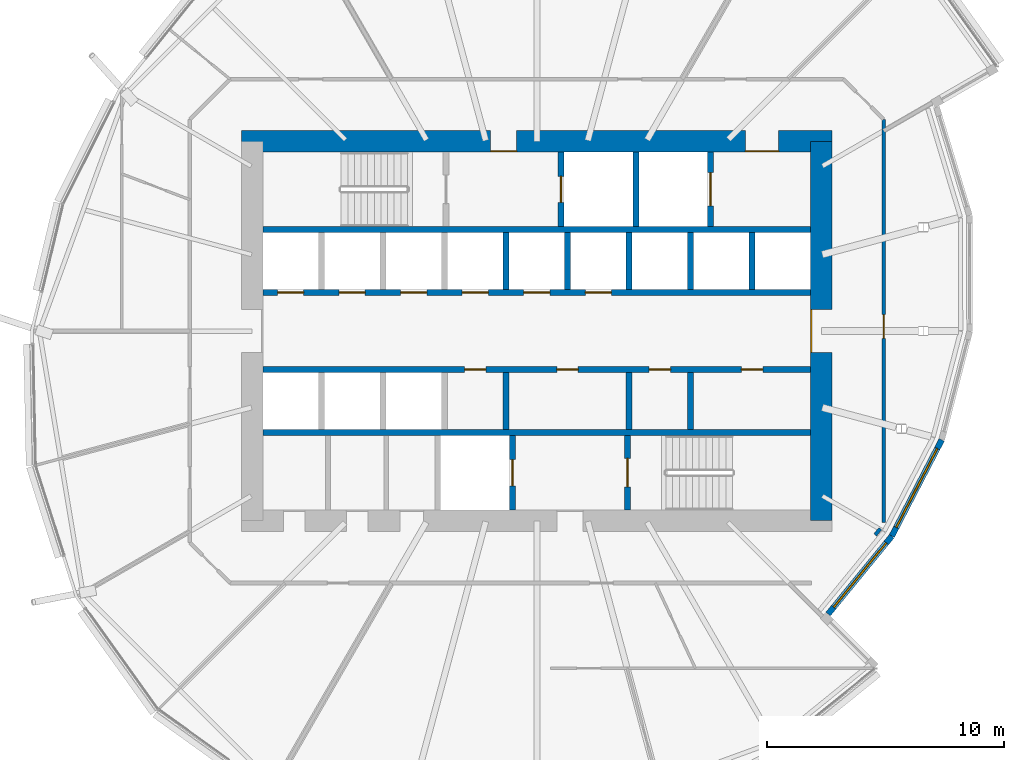
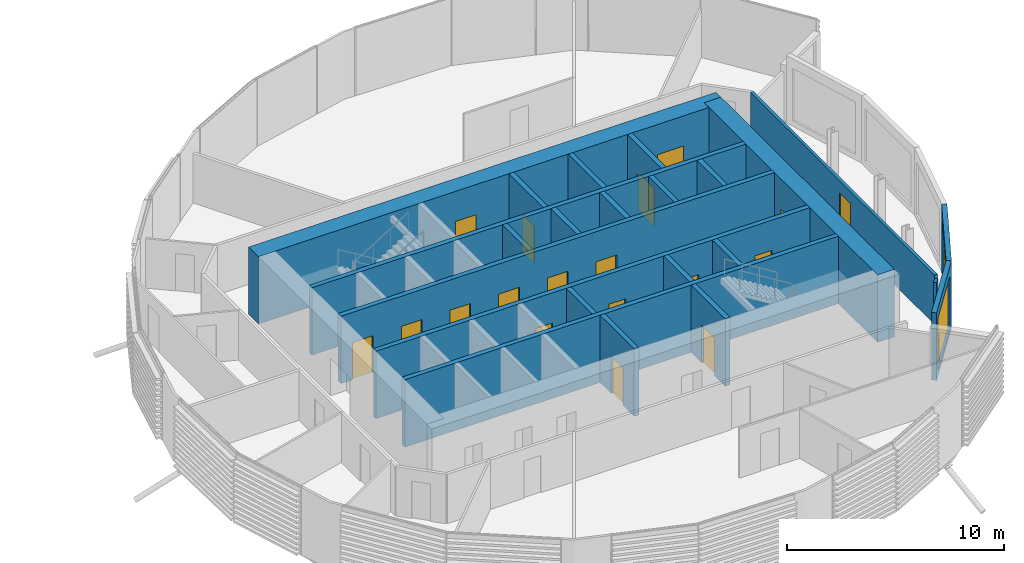
# One storey, part 24 of 37: 23 walls, 18 doors, 2 windows, 20 openings.
"""IFC4 building model written with IfcOpenShell, lengths in metres."""

from ifc_helpers import new_model, si_unit, direction, frame, frame_2d, origin, place, context, subcontext, project, spatial, rectangle, extrude, material, layer, layer_set, type_object, element, fill, save


model = new_model("IFC4")

# Units and contexts
model_context = context("Model", 3, precision=1e-05, world=origin(), true_north=direction((0.0, 1.0)))
body_context = subcontext(model_context, "Body", "Model", "MODEL_VIEW")
ifc_project = project(units=[si_unit("LENGTHUNIT", "METRE"), si_unit("AREAUNIT", "SQUARE_METRE"), si_unit("VOLUMEUNIT", "CUBIC_METRE"), si_unit("PLANEANGLEUNIT", "RADIAN"), si_unit("MASSUNIT", "GRAM", prefix="KILO")], contexts=[model_context])

# Site, building, storey
site_placement = place(None, origin())
site = spatial("IfcSite", under=ifc_project, at=site_placement, CompositionType="ELEMENT")
building_placement = place(site_placement, origin())
building = spatial("IfcBuilding", under=site, at=building_placement, Name="Rimbun Link Towers", CompositionType="ELEMENT")
storey_placement = place(building_placement, frame((0.0, 0.0, 45.199951171875)))
storey = spatial("IfcBuildingStorey", under=building, at=storey_placement, Name="L10", CompositionType="ELEMENT", Elevation=45.199951171875)

# Wall, opening, window
ifc_material_1 = material(Name="Dark enamelled glass spandrel on insulated aluminium backpan", Category="aluminium")
ifc_layer_1 = layer(ifc_material_1, 0.25)
ifc_layer_set_1 = layer_set([ifc_layer_1], Name="CS dark enamelled spandrel wall 250")
wall_type_1 = type_object("IfcWallType", Name="CS dark enamelled spandrel wall 250", PredefinedType="STANDARD", material=ifc_layer_set_1)
wall_1_placement = place(storey_placement, frame((46.72021484375, -8.6513671875, 0.0), z_axis=(0.0, 0.0, 1.0), x_axis=(-0.632842569206, -0.774280493491, 0.0)))
wall_1 = element("IfcWall", 1, at=wall_1_placement, inside=storey, type_object=wall_type_1, Name="Crease spandrel wall", PredefinedType="STANDARD", context=body_context, shape_type="SweptSolid", body=[
    extrude(rectangle(XDim=4.239501953125, YDim=0.25, at=frame_2d((2.11962890625, 0.0))), origin(), (0.0, 0.0, 1.0), 3.800048828125),
])
opening_1_placement = place(wall_1_placement, frame((0.36962890625, 0.0, 0.300048828125)))
opening_1 = element("IfcOpeningElement", 2, at=opening_1_placement, cuts=wall_1, Name="Opening WR35H295", PredefinedType="OPENING", context=body_context, shape_type="SweptSolid", body=[
    extrude(rectangle(XDim=3.5, YDim=2.949951171875, at=frame_2d((1.75, 1.47509765625))), frame((0.0, 0.135009765625, 0.0), z_axis=(0.0, -1.0, 0.0), x_axis=(1.0, 0.0, 0.0)), (0.0, 0.0, 1.0), 0.27001953125),
])
ifc_material_2 = material(Name="Aluminium framed fixed window, dark tinted low-e glass", Category="aluminium")
window_type_1 = type_object("IfcWindowType", Name="WR ribbon window 3500X2950", PartitioningType="SINGLE_PANEL", PredefinedType="WINDOW", material=ifc_material_2)
window_1_placement = place(opening_1_placement, origin())
window_1 = element("IfcWindow", 3, at=window_1_placement, inside=storey, type_object=window_type_1, Name="Crease ribbon window", OverallHeight=2.949951171875, OverallWidth=3.5, PartitioningType="SINGLE_PANEL", PredefinedType="WINDOW", context=body_context, shape_type="SweptSolid", body=[
    extrude(rectangle(XDim=3.5, YDim=2.949951171875, at=frame_2d((1.75, 1.47509765625))), frame((0.0, 0.030029296875, 0.0), z_axis=(0.0, -1.0, 0.0), x_axis=(1.0, 0.0, 0.0)), (0.0, 0.0, 1.0), 0.06005859375),
])
fill(opening_1, window_1)

wall_2_placement = place(storey_placement, frame((48.826171875, -4.589111328125, 0.0), z_axis=(0.0, 0.0, 1.0), x_axis=(-0.460248636708, -0.887790060999, 0.0)))
wall_2 = element("IfcWall", 4, at=wall_2_placement, inside=storey, type_object=wall_type_1, Name="Crease spandrel wall", PredefinedType="STANDARD", context=body_context, shape_type="SweptSolid", body=[
    extrude(rectangle(XDim=4.57568359375, YDim=0.25, at=frame_2d((2.287841796875, 0.0))), origin(), (0.0, 0.0, 1.0), 3.800048828125),
])
opening_2_placement = place(wall_2_placement, frame((0.412841796875, 0.0, 0.300048828125)))
opening_2 = element("IfcOpeningElement", 5, at=opening_2_placement, cuts=wall_2, Name="Opening WR38H295", PredefinedType="OPENING", context=body_context, shape_type="SweptSolid", body=[
    extrude(rectangle(XDim=3.75, YDim=2.949951171875, at=frame_2d((1.875, 1.47509765625))), frame((0.0, 0.135009765625, 0.0), z_axis=(0.0, -1.0, 0.0), x_axis=(1.0, 0.0, 0.0)), (0.0, 0.0, 1.0), 0.27001953125),
])
ifc_material_3 = material(Name="Aluminium framed fixed window, dark tinted low-e glass", Category="aluminium")
window_type_2 = type_object("IfcWindowType", Name="WR ribbon window 3750X2950", PartitioningType="SINGLE_PANEL", PredefinedType="WINDOW", material=ifc_material_3)
window_2_placement = place(opening_2_placement, origin())
window_2 = element("IfcWindow", 6, at=window_2_placement, inside=storey, type_object=window_type_2, Name="Crease ribbon window", OverallHeight=2.949951171875, OverallWidth=3.75, PartitioningType="SINGLE_PANEL", PredefinedType="WINDOW", context=body_context, shape_type="SweptSolid", body=[
    extrude(rectangle(XDim=3.75, YDim=2.949951171875, at=frame_2d((1.875, 1.47509765625))), frame((0.0, 0.030029296875, 0.0), z_axis=(0.0, -1.0, 0.0), x_axis=(1.0, 0.0, 0.0)), (0.0, 0.0, 1.0), 0.06005859375),
])
fill(opening_2, window_2)

# Wall, openings, doors
ifc_material_4 = material(Name="Concrete C60/75", Category="concrete")
ifc_layer_2 = layer(ifc_material_4, 0.89990234375)
ifc_layer_set_2 = layer_set([ifc_layer_2], Name="Core shear wall 900")
wall_type_2 = type_object("IfcWallType", Name="Core shear wall 900", PredefinedType="SHEAR", material=ifc_layer_set_2)
wall_3_placement = place(storey_placement, frame((19.300048828125, 8.0, 0.0), z_axis=(0.0, 0.0, 1.0), x_axis=(1.0, 0.0, 0.0)))
wall_3 = element("IfcWall", 7, at=wall_3_placement, inside=storey, type_object=wall_type_2, Name="L10 T2 core wall N", PredefinedType="SHEAR", context=body_context, shape_type="SweptSolid", body=[
    extrude(rectangle(XDim=24.89990234375, YDim=0.89990234375, at=frame_2d((12.449951171875, 0.0))), origin(), (0.0, 0.0, 1.0), 3.800048828125),
])
opening_3_placement = place(wall_3_placement, frame((10.5, 0.0, 0.0)))
opening_3 = element("IfcOpeningElement", 8, at=opening_3_placement, cuts=wall_3, Name="Opening C2DCF01N", PredefinedType="OPENING", context=body_context, shape_type="SweptSolid", body=[
    extrude(rectangle(XDim=1.10009765625, YDim=2.10009765625, at=frame_2d((0.550048828125, 1.050048828125))), frame((0.0, 0.4599609375, 0.0), z_axis=(0.0, -1.0, 0.0), x_axis=(1.0, 0.0, 0.0)), (0.0, 0.0, 1.0), 0.919921875),
])
opening_4_placement = place(wall_3_placement, frame((21.25, 0.0, 0.0)))
opening_4 = element("IfcOpeningElement", 9, at=opening_4_placement, cuts=wall_3, Name="Opening C2DSL02N", PredefinedType="OPENING", context=body_context, shape_type="SweptSolid", body=[
    extrude(rectangle(XDim=1.39990234375, YDim=2.10009765625, at=frame_2d((0.699951171875, 1.050048828125))), frame((0.0, 0.4599609375, 0.0), z_axis=(0.0, -1.0, 0.0), x_axis=(1.0, 0.0, 0.0)), (0.0, 0.0, 1.0), 0.919921875),
])
ifc_material_5 = material(Name="Steel fire door set", Category="steel")
door_type_1 = type_object("IfcDoorType", Name="Core fire door single", OperationType="SINGLE_SWING_LEFT", PredefinedType="DOOR", material=ifc_material_5)
door_1_placement = place(opening_3_placement, origin())
door_1 = element("IfcDoor", 10, at=door_1_placement, inside=storey, type_object=door_type_1, Name="L10 T2 firefighting lobby n door", OperationType="SINGLE_SWING_LEFT", OverallHeight=2.10009765625, OverallWidth=1.10009765625, PredefinedType="DOOR", context=body_context, shape_type="SweptSolid", body=[
    extrude(rectangle(XDim=1.10009765625, YDim=2.10009765625, at=frame_2d((0.550048828125, 1.050048828125))), frame((0.0, -0.39990234375, 0.0), z_axis=(0.0, -1.0, 0.0), x_axis=(1.0, 0.0, 0.0)), (0.0, 0.0, 1.0), 0.050048828125),
])
fill(opening_3, door_1)
ifc_material_6 = material(Name="Steel fire door set", Category="steel")
door_type_2 = type_object("IfcDoorType", Name="Service lobby door double", OperationType="DOUBLE_DOOR_SINGLE_SWING", PredefinedType="DOOR", material=ifc_material_6)
door_2_placement = place(opening_4_placement, origin())
door_2 = element("IfcDoor", 11, at=door_2_placement, inside=storey, type_object=door_type_2, Name="L10 T2 service lobby door", OperationType="DOUBLE_DOOR_SINGLE_SWING", OverallHeight=2.10009765625, OverallWidth=1.39990234375, PredefinedType="DOOR", context=body_context, shape_type="SweptSolid", body=[
    extrude(rectangle(XDim=1.39990234375, YDim=2.10009765625, at=frame_2d((0.699951171875, 1.050048828125))), frame((0.0, -0.39990234375, 0.0), z_axis=(0.0, -1.0, 0.0), x_axis=(1.0, 0.0, 0.0)), (0.0, 0.0, 1.0), 0.050048828125),
])
fill(opening_4, door_2)

# Wall, opening, door
wall_4_placement = place(storey_placement, frame((43.75, -8.0, 0.0), z_axis=(0.0, 0.0, 1.0), x_axis=(0.0, 1.0, 0.0)))
wall_4 = element("IfcWall", 12, at=wall_4_placement, inside=storey, type_object=wall_type_2, Name="L10 T2 core wall E", PredefinedType="SHEAR", context=body_context, shape_type="SweptSolid", body=[
    extrude(rectangle(XDim=16.0, YDim=0.89990234375, at=frame_2d((8.0, 0.0))), origin(), (0.0, 0.0, 1.0), 3.800048828125),
])
opening_5_placement = place(wall_4_placement, frame((7.10009765625, 0.0, 0.0)))
opening_5 = element("IfcOpeningElement", 13, at=opening_5_placement, cuts=wall_4, Name="Opening C2DCL01E", PredefinedType="OPENING", context=body_context, shape_type="SweptSolid", body=[
    extrude(rectangle(XDim=1.800048828125, YDim=2.10009765625, at=frame_2d((0.89990234375, 1.050048828125))), frame((0.0, 0.4599609375, 0.0), z_axis=(0.0, -1.0, 0.0), x_axis=(1.0, 0.0, 0.0)), (0.0, 0.0, 1.0), 0.919921875),
])
ifc_material_7 = material(Name="Steel fire door set", Category="steel")
door_type_3 = type_object("IfcDoorType", Name="Core lobby door double", OperationType="DOUBLE_DOOR_SINGLE_SWING", PredefinedType="DOOR", material=ifc_material_7)
door_3_placement = place(opening_5_placement, origin())
door_3 = element("IfcDoor", 14, at=door_3_placement, inside=storey, type_object=door_type_3, Name="L10 T2 lift lobby door", OperationType="DOUBLE_DOOR_SINGLE_SWING", OverallHeight=2.10009765625, OverallWidth=1.800048828125, PredefinedType="DOOR", context=body_context, shape_type="SweptSolid", body=[
    extrude(rectangle(XDim=1.800048828125, YDim=2.10009765625, at=frame_2d((0.89990234375, 1.050048828125))), frame((0.0, 0.4501953125, 0.0), z_axis=(0.0, -1.0, 0.0), x_axis=(1.0, 0.0, 0.0)), (0.0, 0.0, 1.0), 0.050048828125),
])
fill(opening_5, door_3)

ifc_material_8 = material(Name="Plasterboard on steel stud, mineral wool", Category="steel")
ifc_layer_3 = layer(ifc_material_8, 0.14990234375)
ifc_layer_set_3 = layer_set([ifc_layer_3], Name="Corridor wall EI 30 150 mm")
wall_type_3 = type_object("IfcWallType", Name="Corridor wall EI 30 150 mm", PredefinedType="PARTITIONING", material=ifc_layer_set_3)
wall_5_placement = place(storey_placement, frame((46.375, 8.9267578125, 0.0), z_axis=(0.0, 0.0, 1.0), x_axis=(0.0, -1.0, 0.0)))
wall_5 = element("IfcWall", 15, at=wall_5_placement, inside=storey, type_object=wall_type_3, Name="Corridor wall EI 30 150 mm", PredefinedType="PARTITIONING", context=body_context, shape_type="SweptSolid", body=[
    extrude(rectangle(XDim=16.99462890625, YDim=0.14990234375, at=frame_2d((8.497314453125, 0.0))), origin(), (0.0, 0.0, 1.0), 2.779052734375),
])
opening_6_placement = place(wall_5_placement, frame((8.23876953125, 0.0, 0.0)))
opening_6 = element("IfcOpeningElement", 16, at=opening_6_placement, cuts=wall_5, Name="Opening D01", PredefinedType="OPENING", context=body_context, shape_type="SweptSolid", body=[
    extrude(rectangle(XDim=1.0, YDim=2.10009765625, at=frame_2d((0.5, 1.050048828125))), frame((0.0, 0.0849609375, 0.0), z_axis=(0.0, -1.0, 0.0), x_axis=(1.0, 0.0, 0.0)), (0.0, 0.0, 1.0), 0.169921875),
])
ifc_material_9 = material(Name="Fire-resisting timber door leaf", Category="wood")
door_type_4 = type_object("IfcDoorType", Name="Fire door FD30S 1000", OperationType="NOTDEFINED", PredefinedType="DOOR", material=ifc_material_9)
door_4_placement = place(opening_6_placement, origin())
door_4 = element("IfcDoor", 17, at=door_4_placement, inside=storey, type_object=door_type_4, Name="Fire door FD30S 1000 to Terrace office", OperationType="SINGLE_SWING_RIGHT", OverallHeight=2.10009765625, OverallWidth=1.0, PredefinedType="DOOR", context=body_context, shape_type="SweptSolid", body=[
    extrude(rectangle(XDim=1.0, YDim=2.10009765625, at=frame_2d((0.5, 1.050048828125))), frame((0.0, 0.02490234375, 0.0), z_axis=(0.0, -1.0, 0.0), x_axis=(1.0, 0.0, 0.0)), (0.0, 0.0, 1.0), 0.050048828125),
])
fill(opening_6, door_4)

# Walls
wall_6_placement = place(storey_placement, frame((46.0205078125, -8.5986328125, 0.0), z_axis=(0.0, 0.0, 1.0), x_axis=(0.63292688177, 0.774211574657, 0.0)))
element("IfcWall", 18, at=wall_6_placement, inside=storey, type_object=wall_type_3, Name="Corridor wall EI 30 150 mm", PredefinedType="PARTITIONING", context=body_context, shape_type="SweptSolid", body=[
    extrude(rectangle(XDim=0.342041015625, YDim=0.14990234375, at=frame_2d((0.1708984375, 0.0))), origin(), (0.0, 0.0, 1.0), 2.779052734375),
])
ifc_material_10 = material(Name="Concrete C60/75", Category="concrete")
ifc_layer_4 = layer(ifc_material_10, 0.25)
ifc_layer_set_4 = layer_set([ifc_layer_4], Name="Shaft wall 250")
wall_type_4 = type_object("IfcWallType", Name="Shaft wall 250", PredefinedType="SHEAR", material=ifc_layer_set_4)
for number, where, z_axis, x_axis, name in (
    (19, (20.199951171875, 4.27490234375, 0.0), (0.0, 0.0, 1.0), (1.0, 0.0, 0.0), "L10 T2 core wall BN"),
    (20, (20.199951171875, -4.27490234375, 0.0), (0.0, 0.0, 1.0), (1.0, 0.0, 0.0), "L10 T2 core wall BS"),
):
    element("IfcWall", number, at=place(storey_placement, frame(where, z_axis=z_axis, x_axis=x_axis)), inside=storey, type_object=wall_type_4, Name=name, PredefinedType="SHEAR", context=body_context, shape_type="SweptSolid", body=[
        extrude(rectangle(XDim=23.10009765625, YDim=0.25, at=frame_2d((11.550048828125, 0.0))), origin(), (0.0, 0.0, 1.0), 3.800048828125),
    ])

# Wall, openings, doors
wall_7_placement = place(storey_placement, frame((20.199951171875, 1.625, 0.0), z_axis=(0.0, 0.0, 1.0), x_axis=(1.0, 0.0, 0.0)))
wall_7 = element("IfcWall", 21, at=wall_7_placement, inside=storey, type_object=wall_type_4, Name="L10 T2 core wall FN", PredefinedType="SHEAR", context=body_context, shape_type="SweptSolid", body=[
    extrude(rectangle(XDim=23.10009765625, YDim=0.25, at=frame_2d((11.550048828125, 0.0))), origin(), (0.0, 0.0, 1.0), 3.800048828125),
])
opening_7_placement = place(wall_7_placement, frame((0.622314453125, 0.0, 0.0)))
opening_7 = element("IfcOpeningElement", 22, at=opening_7_placement, cuts=wall_7, Name="Opening LD-T2-LR1", PredefinedType="OPENING", context=body_context, shape_type="SweptSolid", body=[
    extrude(rectangle(XDim=1.10009765625, YDim=2.10009765625, at=frame_2d((0.550048828125, 1.050048828125))), frame((0.0, 0.135009765625, 0.0), z_axis=(0.0, -1.0, 0.0), x_axis=(1.0, 0.0, 0.0)), (0.0, 0.0, 1.0), 0.27001953125),
])
opening_8_placement = place(wall_7_placement, frame((3.216796875, 0.0, 0.0)))
opening_8 = element("IfcOpeningElement", 23, at=opening_8_placement, cuts=wall_7, Name="Opening LD-T2-LR2", PredefinedType="OPENING", context=body_context, shape_type="SweptSolid", body=[
    extrude(rectangle(XDim=1.10009765625, YDim=2.10009765625, at=frame_2d((0.550048828125, 1.050048828125))), frame((0.0, 0.135009765625, 0.0), z_axis=(0.0, -1.0, 0.0), x_axis=(1.0, 0.0, 0.0)), (0.0, 0.0, 1.0), 0.27001953125),
])
opening_9_placement = place(wall_7_placement, frame((5.81103515625, 0.0, 0.0)))
opening_9 = element("IfcOpeningElement", 24, at=opening_9_placement, cuts=wall_7, Name="Opening LD-T2-LR3", PredefinedType="OPENING", context=body_context, shape_type="SweptSolid", body=[
    extrude(rectangle(XDim=1.10009765625, YDim=2.10009765625, at=frame_2d((0.550048828125, 1.050048828125))), frame((0.0, 0.135009765625, 0.0), z_axis=(0.0, -1.0, 0.0), x_axis=(1.0, 0.0, 0.0)), (0.0, 0.0, 1.0), 0.27001953125),
])
opening_10_placement = place(wall_7_placement, frame((8.405517578125, 0.0, 0.0)))
opening_10 = element("IfcOpeningElement", 25, at=opening_10_placement, cuts=wall_7, Name="Opening LD-T2-LR4", PredefinedType="OPENING", context=body_context, shape_type="SweptSolid", body=[
    extrude(rectangle(XDim=1.10009765625, YDim=2.10009765625, at=frame_2d((0.550048828125, 1.050048828125))), frame((0.0, 0.135009765625, 0.0), z_axis=(0.0, -1.0, 0.0), x_axis=(1.0, 0.0, 0.0)), (0.0, 0.0, 1.0), 0.27001953125),
])
opening_11_placement = place(wall_7_placement, frame((11.0, 0.0, 0.0)))
opening_11 = element("IfcOpeningElement", 26, at=opening_11_placement, cuts=wall_7, Name="Opening LD-T2-LR5", PredefinedType="OPENING", context=body_context, shape_type="SweptSolid", body=[
    extrude(rectangle(XDim=1.10009765625, YDim=2.10009765625, at=frame_2d((0.550048828125, 1.050048828125))), frame((0.0, 0.135009765625, 0.0), z_axis=(0.0, -1.0, 0.0), x_axis=(1.0, 0.0, 0.0)), (0.0, 0.0, 1.0), 0.27001953125),
])
opening_12_placement = place(wall_7_placement, frame((13.594482421875, 0.0, 0.0)))
opening_12 = element("IfcOpeningElement", 27, at=opening_12_placement, cuts=wall_7, Name="Opening LD-T2-LR6", PredefinedType="OPENING", context=body_context, shape_type="SweptSolid", body=[
    extrude(rectangle(XDim=1.10009765625, YDim=2.10009765625, at=frame_2d((0.550048828125, 1.050048828125))), frame((0.0, 0.135009765625, 0.0), z_axis=(0.0, -1.0, 0.0), x_axis=(1.0, 0.0, 0.0)), (0.0, 0.0, 1.0), 0.27001953125),
])
ifc_material_11 = material(Name="Stainless steel grade 316", Category="steel")
door_type_5 = type_object("IfcDoorType", Name="Lift landing door", OperationType="DOUBLE_DOOR_SLIDING", PredefinedType="DOOR", material=ifc_material_11)
door_5_placement = place(opening_7_placement, origin())
door_5 = element("IfcDoor", 28, at=door_5_placement, inside=storey, type_object=door_type_5, Name="L10 T2 lift LR1 landing door", OperationType="DOUBLE_DOOR_SLIDING", OverallHeight=2.10009765625, OverallWidth=1.10009765625, PredefinedType="DOOR", context=body_context, shape_type="SweptSolid", body=[
    extrude(rectangle(XDim=1.10009765625, YDim=2.10009765625, at=frame_2d((0.550048828125, 1.050048828125))), frame((0.0, 0.02490234375, 0.0), z_axis=(0.0, -1.0, 0.0), x_axis=(1.0, 0.0, 0.0)), (0.0, 0.0, 1.0), 0.050048828125),
])
fill(opening_7, door_5)
door_6_placement = place(opening_8_placement, origin())
door_6 = element("IfcDoor", 29, at=door_6_placement, inside=storey, type_object=door_type_5, Name="L10 T2 lift LR2 landing door", OperationType="DOUBLE_DOOR_SLIDING", OverallHeight=2.10009765625, OverallWidth=1.10009765625, PredefinedType="DOOR", context=body_context, shape_type="SweptSolid", body=[
    extrude(rectangle(XDim=1.10009765625, YDim=2.10009765625, at=frame_2d((0.550048828125, 1.050048828125))), frame((0.0, 0.02490234375, 0.0), z_axis=(0.0, -1.0, 0.0), x_axis=(1.0, 0.0, 0.0)), (0.0, 0.0, 1.0), 0.050048828125),
])
fill(opening_8, door_6)
door_7_placement = place(opening_9_placement, origin())
door_7 = element("IfcDoor", 30, at=door_7_placement, inside=storey, type_object=door_type_5, Name="L10 T2 lift LR3 landing door", OperationType="DOUBLE_DOOR_SLIDING", OverallHeight=2.10009765625, OverallWidth=1.10009765625, PredefinedType="DOOR", context=body_context, shape_type="SweptSolid", body=[
    extrude(rectangle(XDim=1.10009765625, YDim=2.10009765625, at=frame_2d((0.550048828125, 1.050048828125))), frame((0.0, 0.02490234375, 0.0), z_axis=(0.0, -1.0, 0.0), x_axis=(1.0, 0.0, 0.0)), (0.0, 0.0, 1.0), 0.050048828125),
])
fill(opening_9, door_7)
door_8_placement = place(opening_10_placement, origin())
door_8 = element("IfcDoor", 31, at=door_8_placement, inside=storey, type_object=door_type_5, Name="L10 T2 lift LR4 landing door", OperationType="DOUBLE_DOOR_SLIDING", OverallHeight=2.10009765625, OverallWidth=1.10009765625, PredefinedType="DOOR", context=body_context, shape_type="SweptSolid", body=[
    extrude(rectangle(XDim=1.10009765625, YDim=2.10009765625, at=frame_2d((0.550048828125, 1.050048828125))), frame((0.0, 0.02490234375, 0.0), z_axis=(0.0, -1.0, 0.0), x_axis=(1.0, 0.0, 0.0)), (0.0, 0.0, 1.0), 0.050048828125),
])
fill(opening_10, door_8)
door_9_placement = place(opening_11_placement, origin())
door_9 = element("IfcDoor", 32, at=door_9_placement, inside=storey, type_object=door_type_5, Name="L10 T2 lift LR5 landing door", OperationType="DOUBLE_DOOR_SLIDING", OverallHeight=2.10009765625, OverallWidth=1.10009765625, PredefinedType="DOOR", context=body_context, shape_type="SweptSolid", body=[
    extrude(rectangle(XDim=1.10009765625, YDim=2.10009765625, at=frame_2d((0.550048828125, 1.050048828125))), frame((0.0, 0.02490234375, 0.0), z_axis=(0.0, -1.0, 0.0), x_axis=(1.0, 0.0, 0.0)), (0.0, 0.0, 1.0), 0.050048828125),
])
fill(opening_11, door_9)
door_10_placement = place(opening_12_placement, origin())
door_10 = element("IfcDoor", 33, at=door_10_placement, inside=storey, type_object=door_type_5, Name="L10 T2 lift LR6 landing door", OperationType="DOUBLE_DOOR_SLIDING", OverallHeight=2.10009765625, OverallWidth=1.10009765625, PredefinedType="DOOR", context=body_context, shape_type="SweptSolid", body=[
    extrude(rectangle(XDim=1.10009765625, YDim=2.10009765625, at=frame_2d((0.550048828125, 1.050048828125))), frame((0.0, 0.02490234375, 0.0), z_axis=(0.0, -1.0, 0.0), x_axis=(1.0, 0.0, 0.0)), (0.0, 0.0, 1.0), 0.050048828125),
])
fill(opening_12, door_10)

wall_8_placement = place(storey_placement, frame((20.199951171875, -1.625, 0.0), z_axis=(0.0, 0.0, 1.0), x_axis=(1.0, 0.0, 0.0)))
wall_8 = element("IfcWall", 34, at=wall_8_placement, inside=storey, type_object=wall_type_4, Name="L10 T2 core wall FS", PredefinedType="SHEAR", context=body_context, shape_type="SweptSolid", body=[
    extrude(rectangle(XDim=23.10009765625, YDim=0.25, at=frame_2d((11.550048828125, 0.0))), origin(), (0.0, 0.0, 1.0), 3.800048828125),
])
opening_13_placement = place(wall_8_placement, frame((8.505615234375, 0.0, 0.0)))
opening_13 = element("IfcOpeningElement", 35, at=opening_13_placement, cuts=wall_8, Name="Opening C2DRS01FS", PredefinedType="OPENING", context=body_context, shape_type="SweptSolid", body=[
    extrude(rectangle(XDim=0.89990234375, YDim=2.10009765625, at=frame_2d((0.449951171875, 1.050048828125))), frame((0.0, 0.135009765625, 0.0), z_axis=(0.0, -1.0, 0.0), x_axis=(1.0, 0.0, 0.0)), (0.0, 0.0, 1.0), 0.27001953125),
])
opening_14_placement = place(wall_8_placement, frame((12.397216796875, 0.0, 0.0)))
opening_14 = element("IfcOpeningElement", 36, at=opening_14_placement, cuts=wall_8, Name="Opening C2DRS02FS", PredefinedType="OPENING", context=body_context, shape_type="SweptSolid", body=[
    extrude(rectangle(XDim=0.89990234375, YDim=2.10009765625, at=frame_2d((0.449951171875, 1.050048828125))), frame((0.0, 0.135009765625, 0.0), z_axis=(0.0, -1.0, 0.0), x_axis=(1.0, 0.0, 0.0)), (0.0, 0.0, 1.0), 0.27001953125),
])
opening_15_placement = place(wall_8_placement, frame((16.288818359375, 0.0, 0.0)))
opening_15 = element("IfcOpeningElement", 37, at=opening_15_placement, cuts=wall_8, Name="Opening C2DRS03FS", PredefinedType="OPENING", context=body_context, shape_type="SweptSolid", body=[
    extrude(rectangle(XDim=0.89990234375, YDim=2.10009765625, at=frame_2d((0.449951171875, 1.050048828125))), frame((0.0, 0.135009765625, 0.0), z_axis=(0.0, -1.0, 0.0), x_axis=(1.0, 0.0, 0.0)), (0.0, 0.0, 1.0), 0.27001953125),
])
opening_16_placement = place(wall_8_placement, frame((20.1806640625, 0.0, 0.0)))
opening_16 = element("IfcOpeningElement", 38, at=opening_16_placement, cuts=wall_8, Name="Opening C2DRS04FS", PredefinedType="OPENING", context=body_context, shape_type="SweptSolid", body=[
    extrude(rectangle(XDim=0.89990234375, YDim=2.10009765625, at=frame_2d((0.449951171875, 1.050048828125))), frame((0.0, 0.135009765625, 0.0), z_axis=(0.0, -1.0, 0.0), x_axis=(1.0, 0.0, 0.0)), (0.0, 0.0, 1.0), 0.27001953125),
])
ifc_material_12 = material(Name="Steel fire door set", Category="steel")
door_type_6 = type_object("IfcDoorType", Name="Core riser door", OperationType="SINGLE_SWING_LEFT", PredefinedType="DOOR", material=ifc_material_12)
door_11_placement = place(opening_13_placement, origin())
door_11 = element("IfcDoor", 39, at=door_11_placement, inside=storey, type_object=door_type_6, Name="L10 T2 cleaner store door", OperationType="SINGLE_SWING_LEFT", OverallHeight=2.10009765625, OverallWidth=0.89990234375, PredefinedType="DOOR", context=body_context, shape_type="SweptSolid", body=[
    extrude(rectangle(XDim=0.89990234375, YDim=2.10009765625, at=frame_2d((0.449951171875, 1.050048828125))), frame((0.0, 0.02490234375, 0.0), z_axis=(0.0, -1.0, 0.0), x_axis=(1.0, 0.0, 0.0)), (0.0, 0.0, 1.0), 0.050048828125),
])
fill(opening_13, door_11)
door_12_placement = place(opening_14_placement, origin())
door_12 = element("IfcDoor", 40, at=door_12_placement, inside=storey, type_object=door_type_6, Name="L10 T2 staff lounge door", OperationType="SINGLE_SWING_LEFT", OverallHeight=2.10009765625, OverallWidth=0.89990234375, PredefinedType="DOOR", context=body_context, shape_type="SweptSolid", body=[
    extrude(rectangle(XDim=0.89990234375, YDim=2.10009765625, at=frame_2d((0.449951171875, 1.050048828125))), frame((0.0, 0.02490234375, 0.0), z_axis=(0.0, -1.0, 0.0), x_axis=(1.0, 0.0, 0.0)), (0.0, 0.0, 1.0), 0.050048828125),
])
fill(opening_14, door_12)
door_13_placement = place(opening_15_placement, origin())
door_13 = element("IfcDoor", 41, at=door_13_placement, inside=storey, type_object=door_type_6, Name="L10 T2 stationery store door", OperationType="SINGLE_SWING_LEFT", OverallHeight=2.10009765625, OverallWidth=0.89990234375, PredefinedType="DOOR", context=body_context, shape_type="SweptSolid", body=[
    extrude(rectangle(XDim=0.89990234375, YDim=2.10009765625, at=frame_2d((0.449951171875, 1.050048828125))), frame((0.0, 0.02490234375, 0.0), z_axis=(0.0, -1.0, 0.0), x_axis=(1.0, 0.0, 0.0)), (0.0, 0.0, 1.0), 0.050048828125),
])
fill(opening_15, door_13)
door_14_placement = place(opening_16_placement, origin())
door_14 = element("IfcDoor", 42, at=door_14_placement, inside=storey, type_object=door_type_6, Name="L10 T2 server room door", OperationType="SINGLE_SWING_LEFT", OverallHeight=2.10009765625, OverallWidth=0.89990234375, PredefinedType="DOOR", context=body_context, shape_type="SweptSolid", body=[
    extrude(rectangle(XDim=0.89990234375, YDim=2.10009765625, at=frame_2d((0.449951171875, 1.050048828125))), frame((0.0, 0.02490234375, 0.0), z_axis=(0.0, -1.0, 0.0), x_axis=(1.0, 0.0, 0.0)), (0.0, 0.0, 1.0), 0.050048828125),
])
fill(opening_16, door_14)

# Walls
for number, where, z_axis, x_axis, name in (
    (43, (30.452880859375, 1.75, 0.0), (0.0, 0.0, 1.0), (0.0, 1.0, 0.0), "L10 T2 core wall DN3"),
    (44, (33.047119140625, 1.75, 0.0), (0.0, 0.0, 1.0), (0.0, 1.0, 0.0), "L10 T2 core wall DN4"),
    (45, (35.6416015625, 1.75, 0.0), (0.0, 0.0, 1.0), (0.0, 1.0, 0.0), "L10 T2 core wall DN5"),
    (46, (38.236083984375, 1.75, 0.0), (0.0, 0.0, 1.0), (0.0, 1.0, 0.0), "L10 T2 core wall DN6"),
    (47, (40.83056640625, 1.75, 0.0), (0.0, 0.0, 1.0), (0.0, 1.0, 0.0), "L10 T2 core wall DN7"),
    (48, (30.452880859375, -4.14990234375, 0.0), (0.0, 0.0, 1.0), (0.0, 1.0, 0.0), "L10 T2 core wall DS3"),
    (49, (35.6416015625, -4.14990234375, 0.0), (0.0, 0.0, 1.0), (0.0, 1.0, 0.0), "L10 T2 core wall DS5"),
    (50, (38.236083984375, -4.14990234375, 0.0), (0.0, 0.0, 1.0), (0.0, 1.0, 0.0), "L10 T2 core wall DS6"),
):
    element("IfcWall", number, at=place(storey_placement, frame(where, z_axis=z_axis, x_axis=x_axis)), inside=storey, type_object=wall_type_4, Name=name, PredefinedType="SHEAR", context=body_context, shape_type="SweptSolid", body=[
        extrude(rectangle(XDim=2.39990234375, YDim=0.25, at=frame_2d((1.199951171875, 0.0))), origin(), (0.0, 0.0, 1.0), 3.800048828125),
    ])

# Wall, opening, door
wall_9_placement = place(storey_placement, frame((32.77490234375, 4.39990234375, 0.0), z_axis=(0.0, 0.0, 1.0), x_axis=(0.0, 1.0, 0.0)))
wall_9 = element("IfcWall", 51, at=wall_9_placement, inside=storey, type_object=wall_type_4, Name="L10 T2 core wall A2", PredefinedType="SHEAR", context=body_context, shape_type="SweptSolid", body=[
    extrude(rectangle(XDim=3.150146484375, YDim=0.25, at=frame_2d((1.5751953125, 0.0))), origin(), (0.0, 0.0, 1.0), 3.800048828125),
])
opening_17_placement = place(wall_9_placement, frame((1.02490234375, 0.0, 0.0)))
opening_17 = element("IfcOpeningElement", 52, at=opening_17_placement, cuts=wall_9, Name="Opening LD-T2-FF1", PredefinedType="OPENING", context=body_context, shape_type="SweptSolid", body=[
    extrude(rectangle(XDim=1.10009765625, YDim=2.10009765625, at=frame_2d((0.550048828125, 1.050048828125))), frame((0.0, 0.135009765625, 0.0), z_axis=(0.0, -1.0, 0.0), x_axis=(1.0, 0.0, 0.0)), (0.0, 0.0, 1.0), 0.27001953125),
])
door_15_placement = place(opening_17_placement, origin())
door_15 = element("IfcDoor", 53, at=door_15_placement, inside=storey, type_object=door_type_5, Name="L10 T2 lift FF1 landing door", OperationType="DOUBLE_DOOR_SLIDING", OverallHeight=2.10009765625, OverallWidth=1.10009765625, PredefinedType="DOOR", context=body_context, shape_type="SweptSolid", body=[
    extrude(rectangle(XDim=1.10009765625, YDim=2.10009765625, at=frame_2d((0.550048828125, 1.050048828125))), frame((0.0, 0.02490234375, 0.0), z_axis=(0.0, -1.0, 0.0), x_axis=(1.0, 0.0, 0.0)), (0.0, 0.0, 1.0), 0.050048828125),
])
fill(opening_17, door_15)

# Wall
wall_10_placement = place(storey_placement, frame((35.925048828125, 4.39990234375, 0.0), z_axis=(0.0, 0.0, 1.0), x_axis=(0.0, 1.0, 0.0)))
element("IfcWall", 54, at=wall_10_placement, inside=storey, type_object=wall_type_4, Name="L10 T2 core wall A3", PredefinedType="SHEAR", context=body_context, shape_type="SweptSolid", body=[
    extrude(rectangle(XDim=3.150146484375, YDim=0.25, at=frame_2d((1.5751953125, 0.0))), origin(), (0.0, 0.0, 1.0), 3.800048828125),
])

# Wall, opening, door
wall_11_placement = place(storey_placement, frame((39.074951171875, 4.39990234375, 0.0), z_axis=(0.0, 0.0, 1.0), x_axis=(0.0, 1.0, 0.0)))
wall_11 = element("IfcWall", 55, at=wall_11_placement, inside=storey, type_object=wall_type_4, Name="L10 T2 core wall A4", PredefinedType="SHEAR", context=body_context, shape_type="SweptSolid", body=[
    extrude(rectangle(XDim=3.150146484375, YDim=0.25, at=frame_2d((1.5751953125, 0.0))), origin(), (0.0, 0.0, 1.0), 3.800048828125),
])
opening_18_placement = place(wall_11_placement, frame((0.875, 0.0, 0.0)))
opening_18 = element("IfcOpeningElement", 56, at=opening_18_placement, cuts=wall_11, Name="Opening LD-T2-GL1", PredefinedType="OPENING", context=body_context, shape_type="SweptSolid", body=[
    extrude(rectangle(XDim=1.39990234375, YDim=2.10009765625, at=frame_2d((0.699951171875, 1.050048828125))), frame((0.0, 0.135009765625, 0.0), z_axis=(0.0, -1.0, 0.0), x_axis=(1.0, 0.0, 0.0)), (0.0, 0.0, 1.0), 0.27001953125),
])
ifc_material_13 = material(Name="Stainless steel grade 316", Category="steel")
door_type_7 = type_object("IfcDoorType", Name="Goods lift landing door", OperationType="DOUBLE_DOOR_SLIDING", PredefinedType="DOOR", material=ifc_material_13)
door_16_placement = place(opening_18_placement, origin())
door_16 = element("IfcDoor", 57, at=door_16_placement, inside=storey, type_object=door_type_7, Name="L10 T2 lift GL1 landing door", OperationType="DOUBLE_DOOR_SLIDING", OverallHeight=2.10009765625, OverallWidth=1.39990234375, PredefinedType="DOOR", context=body_context, shape_type="SweptSolid", body=[
    extrude(rectangle(XDim=1.39990234375, YDim=2.10009765625, at=frame_2d((0.699951171875, 1.050048828125))), frame((0.0, 0.02490234375, 0.0), z_axis=(0.0, -1.0, 0.0), x_axis=(1.0, 0.0, 0.0)), (0.0, 0.0, 1.0), 0.050048828125),
])
fill(opening_18, door_16)

wall_12_placement = place(storey_placement, frame((35.574951171875, -4.39990234375, 0.0), z_axis=(0.0, 0.0, 1.0), x_axis=(0.0, -1.0, 0.0)))
wall_12 = element("IfcWall", 58, at=wall_12_placement, inside=storey, type_object=wall_type_4, Name="L10 T2 core wall B1", PredefinedType="SHEAR", context=body_context, shape_type="SweptSolid", body=[
    extrude(rectangle(XDim=3.150146484375, YDim=0.25, at=frame_2d((1.5751953125, 0.0))), origin(), (0.0, 0.0, 1.0), 3.800048828125),
])
opening_19_placement = place(wall_12_placement, frame((0.97509765625, 0.0, 0.0)))
opening_19 = element("IfcOpeningElement", 59, at=opening_19_placement, cuts=wall_12, Name="Opening C2DST01B1", PredefinedType="OPENING", context=body_context, shape_type="SweptSolid", body=[
    extrude(rectangle(XDim=1.199951171875, YDim=2.10009765625, at=frame_2d((0.60009765625, 1.050048828125))), frame((0.0, 0.135009765625, 0.0), z_axis=(0.0, -1.0, 0.0), x_axis=(1.0, 0.0, 0.0)), (0.0, 0.0, 1.0), 0.27001953125),
])
ifc_material_14 = material(Name="Steel fire door set", Category="steel")
door_type_8 = type_object("IfcDoorType", Name="Stair door", OperationType="SINGLE_SWING_LEFT", PredefinedType="DOOR", material=ifc_material_14)
door_17_placement = place(opening_19_placement, origin())
door_17 = element("IfcDoor", 60, at=door_17_placement, inside=storey, type_object=door_type_8, Name="L10 T2 stair b door", OperationType="SINGLE_SWING_RIGHT", OverallHeight=2.10009765625, OverallWidth=1.199951171875, PredefinedType="DOOR", context=body_context, shape_type="SweptSolid", body=[
    extrude(rectangle(XDim=1.199951171875, YDim=2.10009765625, at=frame_2d((0.60009765625, 1.050048828125))), frame((0.0, 0.02490234375, 0.0), z_axis=(0.0, -1.0, 0.0), x_axis=(1.0, 0.0, 0.0)), (0.0, 0.0, 1.0), 0.050048828125),
])
fill(opening_19, door_17)

wall_13_placement = place(storey_placement, frame((30.72509765625, -4.39990234375, 0.0), z_axis=(0.0, 0.0, 1.0), x_axis=(0.0, -1.0, 0.0)))
wall_13 = element("IfcWall", 61, at=wall_13_placement, inside=storey, type_object=wall_type_4, Name="L10 T2 core wall B2", PredefinedType="SHEAR", context=body_context, shape_type="SweptSolid", body=[
    extrude(rectangle(XDim=3.150146484375, YDim=0.25, at=frame_2d((1.5751953125, 0.0))), origin(), (0.0, 0.0, 1.0), 3.800048828125),
])
opening_20_placement = place(wall_13_placement, frame((1.02490234375, 0.0, 0.0)))
opening_20 = element("IfcOpeningElement", 62, at=opening_20_placement, cuts=wall_13, Name="Opening LD-T2-FF2", PredefinedType="OPENING", context=body_context, shape_type="SweptSolid", body=[
    extrude(rectangle(XDim=1.10009765625, YDim=2.10009765625, at=frame_2d((0.550048828125, 1.050048828125))), frame((0.0, 0.135009765625, 0.0), z_axis=(0.0, -1.0, 0.0), x_axis=(1.0, 0.0, 0.0)), (0.0, 0.0, 1.0), 0.27001953125),
])
door_18_placement = place(opening_20_placement, origin())
door_18 = element("IfcDoor", 63, at=door_18_placement, inside=storey, type_object=door_type_5, Name="L10 T2 lift FF2 landing door", OperationType="DOUBLE_DOOR_SLIDING", OverallHeight=2.10009765625, OverallWidth=1.10009765625, PredefinedType="DOOR", context=body_context, shape_type="SweptSolid", body=[
    extrude(rectangle(XDim=1.10009765625, YDim=2.10009765625, at=frame_2d((0.550048828125, 1.050048828125))), frame((0.0, 0.02490234375, 0.0), z_axis=(0.0, -1.0, 0.0), x_axis=(1.0, 0.0, 0.0)), (0.0, 0.0, 1.0), 0.050048828125),
])
fill(opening_20, door_18)

save(model, "model.ifc")
